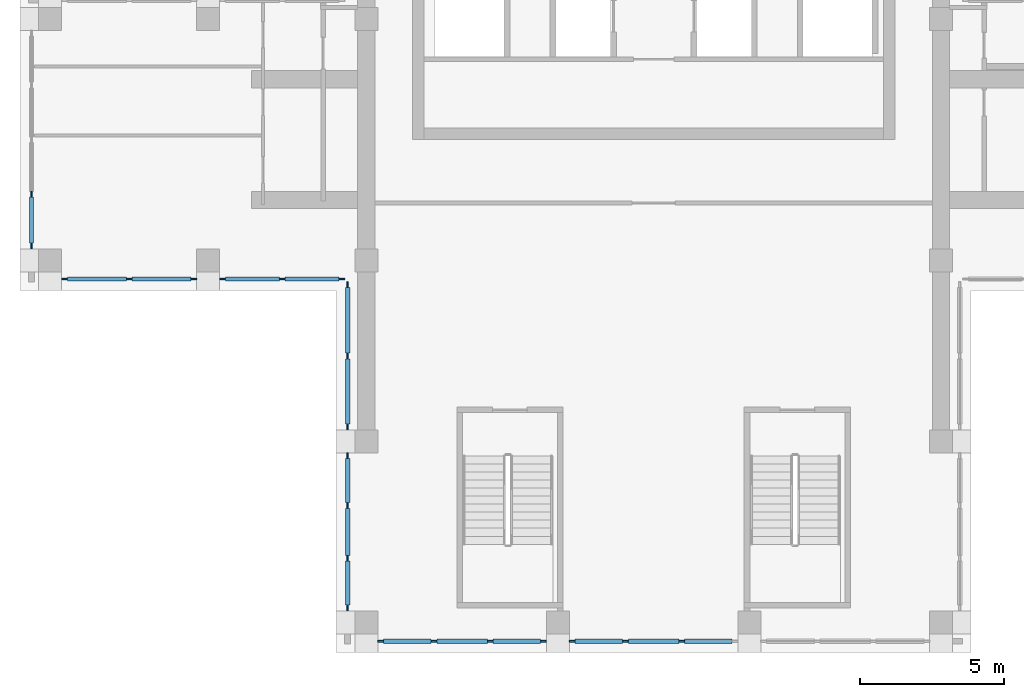
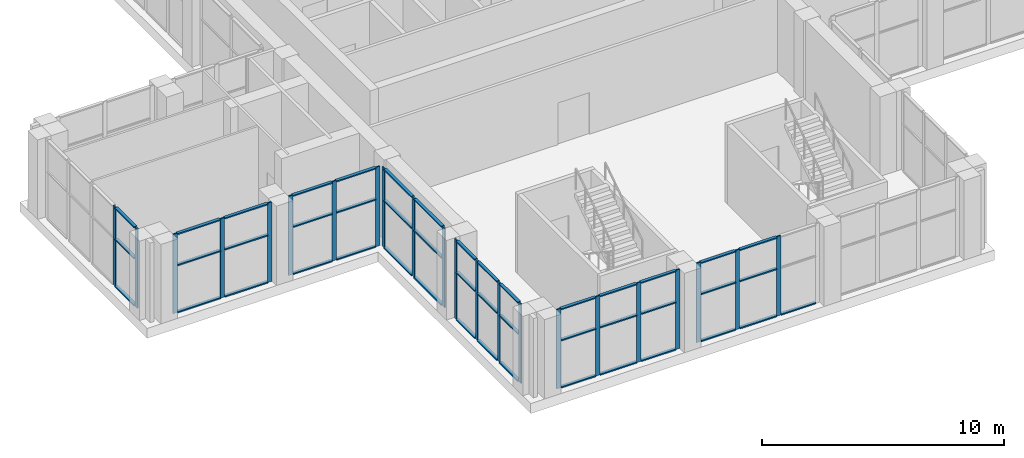
# One storey, part 2 of 15: 68 members, 7 elements without a shape of their own.
"""IFC4 building model written with IfcOpenShell, lengths in metres."""

from ifc_helpers import new_model, si_unit, direction, frame, origin, origin_2d, place, context, subcontext, project, spatial, rectangle, extrude, material, material_profile, profile_set, type_object, element, aggregate, save


model = new_model("IFC4")

# Units and contexts
model_context = context("Model", 3, precision=1e-05, world=origin(), true_north=direction((0.0, 1.0)))
body_context = subcontext(model_context, "Body", "Model", "MODEL_VIEW")
ifc_project = project(units=[si_unit("LENGTHUNIT", "METRE"), si_unit("AREAUNIT", "SQUARE_METRE"), si_unit("VOLUMEUNIT", "CUBIC_METRE"), si_unit("PLANEANGLEUNIT", "RADIAN"), si_unit("MASSUNIT", "GRAM", prefix="KILO")], contexts=[model_context])

# Site, building, storey
site_placement = place(None, origin())
site = spatial("IfcSite", under=ifc_project, at=site_placement, CompositionType="ELEMENT")
building_placement = place(site_placement, origin())
building = spatial("IfcBuilding", under=site, at=building_placement, Name="Vermilion Ogive Tower", CompositionType="ELEMENT")
storey_placement = place(building_placement, frame((0.0, 0.0, 293.85009765625)))
storey = spatial("IfcBuildingStorey", under=building, at=storey_placement, Name="L76", CompositionType="ELEMENT", Elevation=293.85009765625)

# Curtain wall, members
ifc_material_1 = material(Name="Low-iron laminated glazing in aluminium frame", Category="aluminium")
curtain_wall_type = type_object("IfcCurtainWallType", Name="Curtain wall CW3", PredefinedType="NOTDEFINED", material=ifc_material_1)
curtain_wall_1_placement = place(storey_placement, origin())
curtain_wall_1 = element("IfcCurtainWall", 1, at=curtain_wall_1_placement, inside=storey, type_object=curtain_wall_type, Name="CW3 glazing S1", PredefinedType="NOTDEFINED")
ifc_material_2 = material(Name="Aluminium mullion", Category="aluminium")
ifc_material_profile_1 = material_profile(ifc_material_2, rectangle(XDim=0.06005859375, YDim=0.199951171875, at=origin_2d()), Name="AL 60x200")
ifc_profile_set_1 = profile_set([ifc_material_profile_1], Name="Aluminium mullion")
member_type_1 = type_object("IfcMemberType", Name="CW3 mullion 60x200", PredefinedType="MULLION", material=ifc_profile_set_1)
member_1_placement = place(storey_placement, frame((-9.5, -13.25, 0.0), z_axis=(0.0, 0.0, 1.0), x_axis=(0.0, 1.0, 0.0)))
member_1 = element("IfcMember", 2, at=member_1_placement, type_object=member_type_1, Name="CW3-S1 mullion 1", PredefinedType="MULLION", context=body_context, shape_type="SweptSolid", body=[
    extrude(rectangle(XDim=0.06005859375, YDim=0.199951171875, at=origin_2d()), origin(), (0.0, 0.0, 1.0), 4.0),
])
member_2_placement = place(storey_placement, frame((-7.64453125, -13.25, 0.0), z_axis=(0.0, 0.0, 1.0), x_axis=(0.0, 1.0, 0.0)))
member_2 = element("IfcMember", 3, at=member_2_placement, type_object=member_type_1, Name="CW3-S1 mullion 2", PredefinedType="MULLION", context=body_context, shape_type="SweptSolid", body=[
    extrude(rectangle(XDim=0.06005859375, YDim=0.199951171875, at=origin_2d()), origin(), (0.0, 0.0, 1.0), 4.0),
])
member_3_placement = place(storey_placement, frame((-5.68896484375, -13.25, 0.0), z_axis=(0.0, 0.0, 1.0), x_axis=(0.0, 1.0, 0.0)))
member_3 = element("IfcMember", 4, at=member_3_placement, type_object=member_type_1, Name="CW3-S1 mullion 3", PredefinedType="MULLION", context=body_context, shape_type="SweptSolid", body=[
    extrude(rectangle(XDim=0.06005859375, YDim=0.199951171875, at=origin_2d()), origin(), (0.0, 0.0, 1.0), 4.0),
])
member_4_placement = place(storey_placement, frame((-3.833251953125, -13.25, 0.0), z_axis=(0.0, 0.0, 1.0), x_axis=(0.0, 1.0, 0.0)))
member_4 = element("IfcMember", 5, at=member_4_placement, type_object=member_type_1, Name="CW3-S1 mullion 4", PredefinedType="MULLION", context=body_context, shape_type="SweptSolid", body=[
    extrude(rectangle(XDim=0.06005859375, YDim=0.199951171875, at=origin_2d()), origin(), (0.0, 0.0, 1.0), 4.0),
])

curtain_wall_2_placement = place(storey_placement, origin())
curtain_wall_2 = element("IfcCurtainWall", 6, at=curtain_wall_2_placement, inside=storey, type_object=curtain_wall_type, Name="CW3 glazing S2", PredefinedType="NOTDEFINED")
member_5_placement = place(storey_placement, frame((-2.833251953125, -13.25, 0.0), z_axis=(0.0, 0.0, 1.0), x_axis=(0.0, 1.0, 0.0)))
member_5 = element("IfcMember", 7, at=member_5_placement, type_object=member_type_1, Name="CW3-S2 mullion 1", PredefinedType="MULLION", context=body_context, shape_type="SweptSolid", body=[
    extrude(rectangle(XDim=0.06005859375, YDim=0.199951171875, at=origin_2d()), origin(), (0.0, 0.0, 1.0), 4.0),
])
member_6_placement = place(storey_placement, frame((-0.977783203125, -13.25, 0.0), z_axis=(0.0, 0.0, 1.0), x_axis=(0.0, 1.0, 0.0)))
member_6 = element("IfcMember", 8, at=member_6_placement, type_object=member_type_1, Name="CW3-S2 mullion 2", PredefinedType="MULLION", context=body_context, shape_type="SweptSolid", body=[
    extrude(rectangle(XDim=0.06005859375, YDim=0.199951171875, at=origin_2d()), origin(), (0.0, 0.0, 1.0), 4.0),
])
member_7_placement = place(storey_placement, frame((0.977783203125, -13.25, 0.0), z_axis=(0.0, 0.0, 1.0), x_axis=(0.0, 1.0, 0.0)))
member_7 = element("IfcMember", 9, at=member_7_placement, type_object=member_type_1, Name="CW3-S2 mullion 3", PredefinedType="MULLION", context=body_context, shape_type="SweptSolid", body=[
    extrude(rectangle(XDim=0.06005859375, YDim=0.199951171875, at=origin_2d()), origin(), (0.0, 0.0, 1.0), 4.0),
])

curtain_wall_3_placement = place(storey_placement, origin())
curtain_wall_3 = element("IfcCurtainWall", 10, at=curtain_wall_3_placement, inside=storey, type_object=curtain_wall_type, Name="CW3 glazing W1", PredefinedType="NOTDEFINED")
member_8_placement = place(storey_placement, frame((-21.64990234375, 2.300048828125, 0.0), z_axis=(0.0, 0.0, 1.0), x_axis=(1.0, 0.0, 0.0)))
member_8 = element("IfcMember", 11, at=member_8_placement, type_object=member_type_1, Name="CW3-W1 mullion 4", PredefinedType="MULLION", context=body_context, shape_type="SweptSolid", body=[
    extrude(rectangle(XDim=0.06005859375, YDim=0.199951171875, at=origin_2d()), origin(), (0.0, 0.0, 1.0), 4.0),
])
member_9_placement = place(storey_placement, frame((-21.64990234375, 0.5, 0.0), z_axis=(0.0, 0.0, 1.0), x_axis=(1.0, 0.0, 0.0)))
member_9 = element("IfcMember", 12, at=member_9_placement, type_object=member_type_1, Name="CW3-W1 mullion 5", PredefinedType="MULLION", context=body_context, shape_type="SweptSolid", body=[
    extrude(rectangle(XDim=0.06005859375, YDim=0.199951171875, at=origin_2d()), origin(), (0.0, 0.0, 1.0), 4.0),
])

curtain_wall_4_placement = place(storey_placement, origin())
curtain_wall_4 = element("IfcCurtainWall", 13, at=curtain_wall_4_placement, inside=storey, type_object=curtain_wall_type, Name="CW3 glazing X71", PredefinedType="NOTDEFINED")
member_10_placement = place(storey_placement, frame((-20.5, -0.64990234375, 0.0), z_axis=(0.0, 0.0, 1.0), x_axis=(0.0, 1.0, 0.0)))
member_10 = element("IfcMember", 14, at=member_10_placement, type_object=member_type_1, Name="CW3-X71 mullion 1", PredefinedType="MULLION", context=body_context, shape_type="SweptSolid", body=[
    extrude(rectangle(XDim=0.06005859375, YDim=0.199951171875, at=origin_2d()), origin(), (0.0, 0.0, 1.0), 4.0),
])
member_11_placement = place(storey_placement, frame((-18.25, -0.64990234375, 0.0), z_axis=(0.0, 0.0, 1.0), x_axis=(0.0, 1.0, 0.0)))
member_11 = element("IfcMember", 15, at=member_11_placement, type_object=member_type_1, Name="CW3-X71 mullion 2", PredefinedType="MULLION", context=body_context, shape_type="SweptSolid", body=[
    extrude(rectangle(XDim=0.06005859375, YDim=0.199951171875, at=origin_2d()), origin(), (0.0, 0.0, 1.0), 4.0),
])
member_12_placement = place(storey_placement, frame((-16.0, -0.64990234375, 0.0), z_axis=(0.0, 0.0, 1.0), x_axis=(0.0, 1.0, 0.0)))
member_12 = element("IfcMember", 16, at=member_12_placement, type_object=member_type_1, Name="CW3-X71 mullion 3", PredefinedType="MULLION", context=body_context, shape_type="SweptSolid", body=[
    extrude(rectangle(XDim=0.06005859375, YDim=0.199951171875, at=origin_2d()), origin(), (0.0, 0.0, 1.0), 4.0),
])

curtain_wall_5_placement = place(storey_placement, origin())
curtain_wall_5 = element("IfcCurtainWall", 17, at=curtain_wall_5_placement, inside=storey, type_object=curtain_wall_type, Name="CW3 glazing X72", PredefinedType="NOTDEFINED")
member_13_placement = place(storey_placement, frame((-15.0, -0.64990234375, 0.0), z_axis=(0.0, 0.0, 1.0), x_axis=(0.0, 1.0, 0.0)))
member_13 = element("IfcMember", 18, at=member_13_placement, type_object=member_type_1, Name="CW3-X72 mullion 1", PredefinedType="MULLION", context=body_context, shape_type="SweptSolid", body=[
    extrude(rectangle(XDim=0.06005859375, YDim=0.199951171875, at=origin_2d()), origin(), (0.0, 0.0, 1.0), 4.0),
])
member_14_placement = place(storey_placement, frame((-12.925048828125, -0.64990234375, 0.0), z_axis=(0.0, 0.0, 1.0), x_axis=(0.0, 1.0, 0.0)))
member_14 = element("IfcMember", 19, at=member_14_placement, type_object=member_type_1, Name="CW3-X72 mullion 2", PredefinedType="MULLION", context=body_context, shape_type="SweptSolid", body=[
    extrude(rectangle(XDim=0.06005859375, YDim=0.199951171875, at=origin_2d()), origin(), (0.0, 0.0, 1.0), 4.0),
])
member_15_placement = place(storey_placement, frame((-10.85009765625, -0.64990234375, 0.0), z_axis=(0.0, 0.0, 1.0), x_axis=(0.0, 1.0, 0.0)))
member_15 = element("IfcMember", 20, at=member_15_placement, type_object=member_type_1, Name="CW3-X72 mullion 3", PredefinedType="MULLION", context=body_context, shape_type="SweptSolid", body=[
    extrude(rectangle(XDim=0.06005859375, YDim=0.199951171875, at=origin_2d()), origin(), (0.0, 0.0, 1.0), 4.0),
])

curtain_wall_6_placement = place(storey_placement, origin())
curtain_wall_6 = element("IfcCurtainWall", 21, at=curtain_wall_6_placement, inside=storey, type_object=curtain_wall_type, Name="CW3 glazing X81", PredefinedType="NOTDEFINED")
member_16_placement = place(storey_placement, frame((-10.64990234375, -0.85009765625, 0.0), z_axis=(0.0, 0.0, 1.0), x_axis=(1.0, 0.0, 0.0)))
member_16 = element("IfcMember", 22, at=member_16_placement, type_object=member_type_1, Name="CW3-X81 mullion 1", PredefinedType="MULLION", context=body_context, shape_type="SweptSolid", body=[
    extrude(rectangle(XDim=0.06005859375, YDim=0.199951171875, at=origin_2d()), origin(), (0.0, 0.0, 1.0), 4.0),
])
member_17_placement = place(storey_placement, frame((-10.64990234375, -3.324951171875, 0.0), z_axis=(0.0, 0.0, 1.0), x_axis=(1.0, 0.0, 0.0)))
member_17 = element("IfcMember", 23, at=member_17_placement, type_object=member_type_1, Name="CW3-X81 mullion 2", PredefinedType="MULLION", context=body_context, shape_type="SweptSolid", body=[
    extrude(rectangle(XDim=0.06005859375, YDim=0.199951171875, at=origin_2d()), origin(), (0.0, 0.0, 1.0), 4.0),
])
member_18_placement = place(storey_placement, frame((-10.64990234375, -5.800048828125, 0.0), z_axis=(0.0, 0.0, 1.0), x_axis=(1.0, 0.0, 0.0)))
member_18 = element("IfcMember", 24, at=member_18_placement, type_object=member_type_1, Name="CW3-X81 mullion 3", PredefinedType="MULLION", context=body_context, shape_type="SweptSolid", body=[
    extrude(rectangle(XDim=0.06005859375, YDim=0.199951171875, at=origin_2d()), origin(), (0.0, 0.0, 1.0), 4.0),
])

curtain_wall_7_placement = place(storey_placement, origin())
curtain_wall_7 = element("IfcCurtainWall", 25, at=curtain_wall_7_placement, inside=storey, type_object=curtain_wall_type, Name="CW3 glazing X82", PredefinedType="NOTDEFINED")
member_19_placement = place(storey_placement, frame((-10.64990234375, -6.800048828125, 0.0), z_axis=(0.0, 0.0, 1.0), x_axis=(1.0, 0.0, 0.0)))
member_19 = element("IfcMember", 26, at=member_19_placement, type_object=member_type_1, Name="CW3-X82 mullion 1", PredefinedType="MULLION", context=body_context, shape_type="SweptSolid", body=[
    extrude(rectangle(XDim=0.06005859375, YDim=0.199951171875, at=origin_2d()), origin(), (0.0, 0.0, 1.0), 4.0),
])
member_20_placement = place(storey_placement, frame((-10.64990234375, -8.533447265625, 0.0), z_axis=(0.0, 0.0, 1.0), x_axis=(1.0, 0.0, 0.0)))
member_20 = element("IfcMember", 27, at=member_20_placement, type_object=member_type_1, Name="CW3-X82 mullion 2", PredefinedType="MULLION", context=body_context, shape_type="SweptSolid", body=[
    extrude(rectangle(XDim=0.06005859375, YDim=0.199951171875, at=origin_2d()), origin(), (0.0, 0.0, 1.0), 4.0),
])
member_21_placement = place(storey_placement, frame((-10.64990234375, -10.36669921875, 0.0), z_axis=(0.0, 0.0, 1.0), x_axis=(1.0, 0.0, 0.0)))
member_21 = element("IfcMember", 28, at=member_21_placement, type_object=member_type_1, Name="CW3-X82 mullion 3", PredefinedType="MULLION", context=body_context, shape_type="SweptSolid", body=[
    extrude(rectangle(XDim=0.06005859375, YDim=0.199951171875, at=origin_2d()), origin(), (0.0, 0.0, 1.0), 4.0),
])
member_22_placement = place(storey_placement, frame((-10.64990234375, -12.10009765625, 0.0), z_axis=(0.0, 0.0, 1.0), x_axis=(1.0, 0.0, 0.0)))
member_22 = element("IfcMember", 29, at=member_22_placement, type_object=member_type_1, Name="CW3-X82 mullion 4", PredefinedType="MULLION", context=body_context, shape_type="SweptSolid", body=[
    extrude(rectangle(XDim=0.06005859375, YDim=0.199951171875, at=origin_2d()), origin(), (0.0, 0.0, 1.0), 4.0),
])

# Member
ifc_material_3 = material(Name="Aluminium transom", Category="aluminium")
ifc_material_profile_2 = material_profile(ifc_material_3, rectangle(XDim=0.14990234375, YDim=0.06005859375, at=origin_2d()), Name="AL 60x150")
ifc_profile_set_2 = profile_set([ifc_material_profile_2], Name="Aluminium transom")
member_type_2 = type_object("IfcMemberType", Name="CW3 transom 60x150", PredefinedType="USERDEFINED", material=ifc_profile_set_2)
member_23_placement = place(storey_placement, frame((-9.39990234375, -13.25, 0.02978515625), z_axis=(1.0, 0.0, 0.0), x_axis=(0.0, 1.0, 0.0)))
member_23 = element("IfcMember", 30, at=member_23_placement, type_object=member_type_2, Name="CW3-S1 transom 1.1", ObjectType="TRANSOM", PredefinedType="USERDEFINED", context=body_context, shape_type="SweptSolid", body=[
    extrude(rectangle(XDim=0.14990234375, YDim=0.06005859375, at=origin_2d()), origin(), (0.0, 0.0, 1.0), 1.655517578125),
])

member_24_placement = place(storey_placement, frame((-9.39990234375, -13.25, 2.39990234375), z_axis=(1.0, 0.0, 0.0), x_axis=(0.0, 1.0, 0.0)))
member_24 = element("IfcMember", 31, at=member_24_placement, type_object=member_type_2, Name="CW3-S1 transom 1.2", ObjectType="TRANSOM", PredefinedType="USERDEFINED", context=body_context, shape_type="SweptSolid", body=[
    extrude(rectangle(XDim=0.14990234375, YDim=0.06005859375, at=origin_2d()), origin(), (0.0, 0.0, 1.0), 1.655517578125),
])

member_25_placement = place(storey_placement, frame((-9.39990234375, -13.25, 3.969970703125), z_axis=(1.0, 0.0, 0.0), x_axis=(0.0, 1.0, 0.0)))
member_25 = element("IfcMember", 32, at=member_25_placement, type_object=member_type_2, Name="CW3-S1 transom 1.3", ObjectType="TRANSOM", PredefinedType="USERDEFINED", context=body_context, shape_type="SweptSolid", body=[
    extrude(rectangle(XDim=0.14990234375, YDim=0.06005859375, at=origin_2d()), origin(), (0.0, 0.0, 1.0), 1.655517578125),
])

member_26_placement = place(storey_placement, frame((-7.54443359375, -13.25, 0.02978515625), z_axis=(1.0, 0.0, 0.0), x_axis=(0.0, 1.0, 0.0)))
member_26 = element("IfcMember", 33, at=member_26_placement, type_object=member_type_2, Name="CW3-S1 transom 2.1", ObjectType="TRANSOM", PredefinedType="USERDEFINED", context=body_context, shape_type="SweptSolid", body=[
    extrude(rectangle(XDim=0.14990234375, YDim=0.06005859375, at=origin_2d()), origin(), (0.0, 0.0, 1.0), 1.755615234375),
])

member_27_placement = place(storey_placement, frame((-7.54443359375, -13.25, 2.39990234375), z_axis=(1.0, 0.0, 0.0), x_axis=(0.0, 1.0, 0.0)))
member_27 = element("IfcMember", 34, at=member_27_placement, type_object=member_type_2, Name="CW3-S1 transom 2.2", ObjectType="TRANSOM", PredefinedType="USERDEFINED", context=body_context, shape_type="SweptSolid", body=[
    extrude(rectangle(XDim=0.14990234375, YDim=0.06005859375, at=origin_2d()), origin(), (0.0, 0.0, 1.0), 1.755615234375),
])

member_28_placement = place(storey_placement, frame((-7.54443359375, -13.25, 3.969970703125), z_axis=(1.0, 0.0, 0.0), x_axis=(0.0, 1.0, 0.0)))
member_28 = element("IfcMember", 35, at=member_28_placement, type_object=member_type_2, Name="CW3-S1 transom 2.3", ObjectType="TRANSOM", PredefinedType="USERDEFINED", context=body_context, shape_type="SweptSolid", body=[
    extrude(rectangle(XDim=0.14990234375, YDim=0.06005859375, at=origin_2d()), origin(), (0.0, 0.0, 1.0), 1.755615234375),
])

member_29_placement = place(storey_placement, frame((-5.5888671875, -13.25, 0.02978515625), z_axis=(1.0, 0.0, 0.0), x_axis=(0.0, 1.0, 0.0)))
member_29 = element("IfcMember", 36, at=member_29_placement, type_object=member_type_2, Name="CW3-S1 transom 3.1", ObjectType="TRANSOM", PredefinedType="USERDEFINED", context=body_context, shape_type="SweptSolid", body=[
    extrude(rectangle(XDim=0.14990234375, YDim=0.06005859375, at=origin_2d()), origin(), (0.0, 0.0, 1.0), 1.655517578125),
])

member_30_placement = place(storey_placement, frame((-5.5888671875, -13.25, 2.39990234375), z_axis=(1.0, 0.0, 0.0), x_axis=(0.0, 1.0, 0.0)))
member_30 = element("IfcMember", 37, at=member_30_placement, type_object=member_type_2, Name="CW3-S1 transom 3.2", ObjectType="TRANSOM", PredefinedType="USERDEFINED", context=body_context, shape_type="SweptSolid", body=[
    extrude(rectangle(XDim=0.14990234375, YDim=0.06005859375, at=origin_2d()), origin(), (0.0, 0.0, 1.0), 1.655517578125),
])

member_31_placement = place(storey_placement, frame((-5.5888671875, -13.25, 3.969970703125), z_axis=(1.0, 0.0, 0.0), x_axis=(0.0, 1.0, 0.0)))
member_31 = element("IfcMember", 38, at=member_31_placement, type_object=member_type_2, Name="CW3-S1 transom 3.3", ObjectType="TRANSOM", PredefinedType="USERDEFINED", context=body_context, shape_type="SweptSolid", body=[
    extrude(rectangle(XDim=0.14990234375, YDim=0.06005859375, at=origin_2d()), origin(), (0.0, 0.0, 1.0), 1.655517578125),
])

aggregate(curtain_wall_1, [member_1, member_2, member_3, member_4, member_23, member_24, member_25, member_26, member_27, member_28, member_29, member_30, member_31])

member_32_placement = place(storey_placement, frame((-2.7333984375, -13.25, 0.02978515625), z_axis=(1.0, 0.0, 0.0), x_axis=(0.0, 1.0, 0.0)))
member_32 = element("IfcMember", 39, at=member_32_placement, type_object=member_type_2, Name="CW3-S2 transom 1.1", ObjectType="TRANSOM", PredefinedType="USERDEFINED", context=body_context, shape_type="SweptSolid", body=[
    extrude(rectangle(XDim=0.14990234375, YDim=0.06005859375, at=origin_2d()), origin(), (0.0, 0.0, 1.0), 1.655517578125),
])

member_33_placement = place(storey_placement, frame((-2.7333984375, -13.25, 2.39990234375), z_axis=(1.0, 0.0, 0.0), x_axis=(0.0, 1.0, 0.0)))
member_33 = element("IfcMember", 40, at=member_33_placement, type_object=member_type_2, Name="CW3-S2 transom 1.2", ObjectType="TRANSOM", PredefinedType="USERDEFINED", context=body_context, shape_type="SweptSolid", body=[
    extrude(rectangle(XDim=0.14990234375, YDim=0.06005859375, at=origin_2d()), origin(), (0.0, 0.0, 1.0), 1.655517578125),
])

member_34_placement = place(storey_placement, frame((-2.7333984375, -13.25, 3.969970703125), z_axis=(1.0, 0.0, 0.0), x_axis=(0.0, 1.0, 0.0)))
member_34 = element("IfcMember", 41, at=member_34_placement, type_object=member_type_2, Name="CW3-S2 transom 1.3", ObjectType="TRANSOM", PredefinedType="USERDEFINED", context=body_context, shape_type="SweptSolid", body=[
    extrude(rectangle(XDim=0.14990234375, YDim=0.06005859375, at=origin_2d()), origin(), (0.0, 0.0, 1.0), 1.655517578125),
])

member_35_placement = place(storey_placement, frame((-0.877685546875, -13.25, 0.02978515625), z_axis=(1.0, 0.0, 0.0), x_axis=(0.0, 1.0, 0.0)))
member_35 = element("IfcMember", 42, at=member_35_placement, type_object=member_type_2, Name="CW3-S2 transom 2.1", ObjectType="TRANSOM", PredefinedType="USERDEFINED", context=body_context, shape_type="SweptSolid", body=[
    extrude(rectangle(XDim=0.14990234375, YDim=0.06005859375, at=origin_2d()), origin(), (0.0, 0.0, 1.0), 1.75537109375),
])

member_36_placement = place(storey_placement, frame((-0.877685546875, -13.25, 2.39990234375), z_axis=(1.0, 0.0, 0.0), x_axis=(0.0, 1.0, 0.0)))
member_36 = element("IfcMember", 43, at=member_36_placement, type_object=member_type_2, Name="CW3-S2 transom 2.2", ObjectType="TRANSOM", PredefinedType="USERDEFINED", context=body_context, shape_type="SweptSolid", body=[
    extrude(rectangle(XDim=0.14990234375, YDim=0.06005859375, at=origin_2d()), origin(), (0.0, 0.0, 1.0), 1.75537109375),
])

member_37_placement = place(storey_placement, frame((-0.877685546875, -13.25, 3.969970703125), z_axis=(1.0, 0.0, 0.0), x_axis=(0.0, 1.0, 0.0)))
member_37 = element("IfcMember", 44, at=member_37_placement, type_object=member_type_2, Name="CW3-S2 transom 2.3", ObjectType="TRANSOM", PredefinedType="USERDEFINED", context=body_context, shape_type="SweptSolid", body=[
    extrude(rectangle(XDim=0.14990234375, YDim=0.06005859375, at=origin_2d()), origin(), (0.0, 0.0, 1.0), 1.75537109375),
])

member_38_placement = place(storey_placement, frame((1.077880859375, -13.25, 0.02978515625), z_axis=(1.0, 0.0, 0.0), x_axis=(0.0, 1.0, 0.0)))
member_38 = element("IfcMember", 45, at=member_38_placement, type_object=member_type_2, Name="CW3-S2 transom 3.1", ObjectType="TRANSOM", PredefinedType="USERDEFINED", context=body_context, shape_type="SweptSolid", body=[
    extrude(rectangle(XDim=0.14990234375, YDim=0.06005859375, at=origin_2d()), origin(), (0.0, 0.0, 1.0), 1.655517578125),
])

aggregate(curtain_wall_2, [member_5, member_6, member_7, member_32, member_33, member_34, member_35, member_36, member_37, member_38])

member_39_placement = place(storey_placement, frame((-21.64990234375, 2.199951171875, 0.02978515625), z_axis=(0.0, -1.0, 0.0), x_axis=(1.0, 0.0, 0.0)))
member_39 = element("IfcMember", 46, at=member_39_placement, type_object=member_type_2, Name="CW3-W1 transom 4.1", ObjectType="TRANSOM", PredefinedType="USERDEFINED", context=body_context, shape_type="SweptSolid", body=[
    extrude(rectangle(XDim=0.14990234375, YDim=0.06005859375, at=origin_2d()), origin(), (0.0, 0.0, 1.0), 1.599853515625),
])

member_40_placement = place(storey_placement, frame((-21.64990234375, 2.199951171875, 2.39990234375), z_axis=(0.0, -1.0, 0.0), x_axis=(1.0, 0.0, 0.0)))
member_40 = element("IfcMember", 47, at=member_40_placement, type_object=member_type_2, Name="CW3-W1 transom 4.2", ObjectType="TRANSOM", PredefinedType="USERDEFINED", context=body_context, shape_type="SweptSolid", body=[
    extrude(rectangle(XDim=0.14990234375, YDim=0.06005859375, at=origin_2d()), origin(), (0.0, 0.0, 1.0), 1.599853515625),
])

member_41_placement = place(storey_placement, frame((-21.64990234375, 2.199951171875, 3.969970703125), z_axis=(0.0, -1.0, 0.0), x_axis=(1.0, 0.0, 0.0)))
member_41 = element("IfcMember", 48, at=member_41_placement, type_object=member_type_2, Name="CW3-W1 transom 4.3", ObjectType="TRANSOM", PredefinedType="USERDEFINED", context=body_context, shape_type="SweptSolid", body=[
    extrude(rectangle(XDim=0.14990234375, YDim=0.06005859375, at=origin_2d()), origin(), (0.0, 0.0, 1.0), 1.599853515625),
])

aggregate(curtain_wall_3, [member_8, member_9, member_39, member_40, member_41])

member_42_placement = place(storey_placement, frame((-20.39990234375, -0.64990234375, 0.02978515625), z_axis=(1.0, 0.0, 0.0), x_axis=(0.0, 1.0, 0.0)))
member_42 = element("IfcMember", 49, at=member_42_placement, type_object=member_type_2, Name="CW3-X71 transom 1.1", ObjectType="TRANSOM", PredefinedType="USERDEFINED", context=body_context, shape_type="SweptSolid", body=[
    extrude(rectangle(XDim=0.14990234375, YDim=0.06005859375, at=origin_2d()), origin(), (0.0, 0.0, 1.0), 2.0498046875),
])

member_43_placement = place(storey_placement, frame((-20.39990234375, -0.64990234375, 2.39990234375), z_axis=(1.0, 0.0, 0.0), x_axis=(0.0, 1.0, 0.0)))
member_43 = element("IfcMember", 50, at=member_43_placement, type_object=member_type_2, Name="CW3-X71 transom 1.2", ObjectType="TRANSOM", PredefinedType="USERDEFINED", context=body_context, shape_type="SweptSolid", body=[
    extrude(rectangle(XDim=0.14990234375, YDim=0.06005859375, at=origin_2d()), origin(), (0.0, 0.0, 1.0), 2.0498046875),
])

member_44_placement = place(storey_placement, frame((-20.39990234375, -0.64990234375, 3.969970703125), z_axis=(1.0, 0.0, 0.0), x_axis=(0.0, 1.0, 0.0)))
member_44 = element("IfcMember", 51, at=member_44_placement, type_object=member_type_2, Name="CW3-X71 transom 1.3", ObjectType="TRANSOM", PredefinedType="USERDEFINED", context=body_context, shape_type="SweptSolid", body=[
    extrude(rectangle(XDim=0.14990234375, YDim=0.06005859375, at=origin_2d()), origin(), (0.0, 0.0, 1.0), 2.0498046875),
])

member_45_placement = place(storey_placement, frame((-18.14990234375, -0.64990234375, 0.02978515625), z_axis=(1.0, 0.0, 0.0), x_axis=(0.0, 1.0, 0.0)))
member_45 = element("IfcMember", 52, at=member_45_placement, type_object=member_type_2, Name="CW3-X71 transom 2.1", ObjectType="TRANSOM", PredefinedType="USERDEFINED", context=body_context, shape_type="SweptSolid", body=[
    extrude(rectangle(XDim=0.14990234375, YDim=0.06005859375, at=origin_2d()), origin(), (0.0, 0.0, 1.0), 2.0498046875),
])

member_46_placement = place(storey_placement, frame((-18.14990234375, -0.64990234375, 2.39990234375), z_axis=(1.0, 0.0, 0.0), x_axis=(0.0, 1.0, 0.0)))
member_46 = element("IfcMember", 53, at=member_46_placement, type_object=member_type_2, Name="CW3-X71 transom 2.2", ObjectType="TRANSOM", PredefinedType="USERDEFINED", context=body_context, shape_type="SweptSolid", body=[
    extrude(rectangle(XDim=0.14990234375, YDim=0.06005859375, at=origin_2d()), origin(), (0.0, 0.0, 1.0), 2.0498046875),
])

member_47_placement = place(storey_placement, frame((-18.14990234375, -0.64990234375, 3.969970703125), z_axis=(1.0, 0.0, 0.0), x_axis=(0.0, 1.0, 0.0)))
member_47 = element("IfcMember", 54, at=member_47_placement, type_object=member_type_2, Name="CW3-X71 transom 2.3", ObjectType="TRANSOM", PredefinedType="USERDEFINED", context=body_context, shape_type="SweptSolid", body=[
    extrude(rectangle(XDim=0.14990234375, YDim=0.06005859375, at=origin_2d()), origin(), (0.0, 0.0, 1.0), 2.0498046875),
])

aggregate(curtain_wall_4, [member_10, member_11, member_12, member_42, member_43, member_44, member_45, member_46, member_47])

member_48_placement = place(storey_placement, frame((-14.89990234375, -0.64990234375, 0.02978515625), z_axis=(1.0, 0.0, 0.0), x_axis=(0.0, 1.0, 0.0)))
member_48 = element("IfcMember", 55, at=member_48_placement, type_object=member_type_2, Name="CW3-X72 transom 1.1", ObjectType="TRANSOM", PredefinedType="USERDEFINED", context=body_context, shape_type="SweptSolid", body=[
    extrude(rectangle(XDim=0.14990234375, YDim=0.06005859375, at=origin_2d()), origin(), (0.0, 0.0, 1.0), 1.875),
])

member_49_placement = place(storey_placement, frame((-14.89990234375, -0.64990234375, 2.39990234375), z_axis=(1.0, 0.0, 0.0), x_axis=(0.0, 1.0, 0.0)))
member_49 = element("IfcMember", 56, at=member_49_placement, type_object=member_type_2, Name="CW3-X72 transom 1.2", ObjectType="TRANSOM", PredefinedType="USERDEFINED", context=body_context, shape_type="SweptSolid", body=[
    extrude(rectangle(XDim=0.14990234375, YDim=0.06005859375, at=origin_2d()), origin(), (0.0, 0.0, 1.0), 1.875),
])

member_50_placement = place(storey_placement, frame((-14.89990234375, -0.64990234375, 3.969970703125), z_axis=(1.0, 0.0, 0.0), x_axis=(0.0, 1.0, 0.0)))
member_50 = element("IfcMember", 57, at=member_50_placement, type_object=member_type_2, Name="CW3-X72 transom 1.3", ObjectType="TRANSOM", PredefinedType="USERDEFINED", context=body_context, shape_type="SweptSolid", body=[
    extrude(rectangle(XDim=0.14990234375, YDim=0.06005859375, at=origin_2d()), origin(), (0.0, 0.0, 1.0), 1.875),
])

member_51_placement = place(storey_placement, frame((-12.824951171875, -0.64990234375, 0.02978515625), z_axis=(1.0, 0.0, 0.0), x_axis=(0.0, 1.0, 0.0)))
member_51 = element("IfcMember", 58, at=member_51_placement, type_object=member_type_2, Name="CW3-X72 transom 2.1", ObjectType="TRANSOM", PredefinedType="USERDEFINED", context=body_context, shape_type="SweptSolid", body=[
    extrude(rectangle(XDim=0.14990234375, YDim=0.06005859375, at=origin_2d()), origin(), (0.0, 0.0, 1.0), 1.875),
])

member_52_placement = place(storey_placement, frame((-12.824951171875, -0.64990234375, 2.39990234375), z_axis=(1.0, 0.0, 0.0), x_axis=(0.0, 1.0, 0.0)))
member_52 = element("IfcMember", 59, at=member_52_placement, type_object=member_type_2, Name="CW3-X72 transom 2.2", ObjectType="TRANSOM", PredefinedType="USERDEFINED", context=body_context, shape_type="SweptSolid", body=[
    extrude(rectangle(XDim=0.14990234375, YDim=0.06005859375, at=origin_2d()), origin(), (0.0, 0.0, 1.0), 1.875),
])

member_53_placement = place(storey_placement, frame((-12.824951171875, -0.64990234375, 3.969970703125), z_axis=(1.0, 0.0, 0.0), x_axis=(0.0, 1.0, 0.0)))
member_53 = element("IfcMember", 60, at=member_53_placement, type_object=member_type_2, Name="CW3-X72 transom 2.3", ObjectType="TRANSOM", PredefinedType="USERDEFINED", context=body_context, shape_type="SweptSolid", body=[
    extrude(rectangle(XDim=0.14990234375, YDim=0.06005859375, at=origin_2d()), origin(), (0.0, 0.0, 1.0), 1.875),
])

aggregate(curtain_wall_5, [member_13, member_14, member_15, member_48, member_49, member_50, member_51, member_52, member_53])

member_54_placement = place(storey_placement, frame((-10.64990234375, -0.949951171875, 0.02978515625), z_axis=(0.0, -1.0, 0.0), x_axis=(1.0, 0.0, 0.0)))
member_54 = element("IfcMember", 61, at=member_54_placement, type_object=member_type_2, Name="CW3-X81 transom 1.1", ObjectType="TRANSOM", PredefinedType="USERDEFINED", context=body_context, shape_type="SweptSolid", body=[
    extrude(rectangle(XDim=0.14990234375, YDim=0.06005859375, at=origin_2d()), origin(), (0.0, 0.0, 1.0), 2.275146484375),
])

member_55_placement = place(storey_placement, frame((-10.64990234375, -0.949951171875, 2.39990234375), z_axis=(0.0, -1.0, 0.0), x_axis=(1.0, 0.0, 0.0)))
member_55 = element("IfcMember", 62, at=member_55_placement, type_object=member_type_2, Name="CW3-X81 transom 1.2", ObjectType="TRANSOM", PredefinedType="USERDEFINED", context=body_context, shape_type="SweptSolid", body=[
    extrude(rectangle(XDim=0.14990234375, YDim=0.06005859375, at=origin_2d()), origin(), (0.0, 0.0, 1.0), 2.275146484375),
])

member_56_placement = place(storey_placement, frame((-10.64990234375, -0.949951171875, 3.969970703125), z_axis=(0.0, -1.0, 0.0), x_axis=(1.0, 0.0, 0.0)))
member_56 = element("IfcMember", 63, at=member_56_placement, type_object=member_type_2, Name="CW3-X81 transom 1.3", ObjectType="TRANSOM", PredefinedType="USERDEFINED", context=body_context, shape_type="SweptSolid", body=[
    extrude(rectangle(XDim=0.14990234375, YDim=0.06005859375, at=origin_2d()), origin(), (0.0, 0.0, 1.0), 2.275146484375),
])

member_57_placement = place(storey_placement, frame((-10.64990234375, -3.425048828125, 0.02978515625), z_axis=(0.0, -1.0, 0.0), x_axis=(1.0, 0.0, 0.0)))
member_57 = element("IfcMember", 64, at=member_57_placement, type_object=member_type_2, Name="CW3-X81 transom 2.1", ObjectType="TRANSOM", PredefinedType="USERDEFINED", context=body_context, shape_type="SweptSolid", body=[
    extrude(rectangle(XDim=0.14990234375, YDim=0.06005859375, at=origin_2d()), origin(), (0.0, 0.0, 1.0), 2.27490234375),
])

member_58_placement = place(storey_placement, frame((-10.64990234375, -3.425048828125, 2.39990234375), z_axis=(0.0, -1.0, 0.0), x_axis=(1.0, 0.0, 0.0)))
member_58 = element("IfcMember", 65, at=member_58_placement, type_object=member_type_2, Name="CW3-X81 transom 2.2", ObjectType="TRANSOM", PredefinedType="USERDEFINED", context=body_context, shape_type="SweptSolid", body=[
    extrude(rectangle(XDim=0.14990234375, YDim=0.06005859375, at=origin_2d()), origin(), (0.0, 0.0, 1.0), 2.27490234375),
])

member_59_placement = place(storey_placement, frame((-10.64990234375, -3.425048828125, 3.969970703125), z_axis=(0.0, -1.0, 0.0), x_axis=(1.0, 0.0, 0.0)))
member_59 = element("IfcMember", 66, at=member_59_placement, type_object=member_type_2, Name="CW3-X81 transom 2.3", ObjectType="TRANSOM", PredefinedType="USERDEFINED", context=body_context, shape_type="SweptSolid", body=[
    extrude(rectangle(XDim=0.14990234375, YDim=0.06005859375, at=origin_2d()), origin(), (0.0, 0.0, 1.0), 2.27490234375),
])

aggregate(curtain_wall_6, [member_16, member_17, member_18, member_54, member_55, member_56, member_57, member_58, member_59])

member_60_placement = place(storey_placement, frame((-10.64990234375, -6.89990234375, 0.02978515625), z_axis=(0.0, -1.0, 0.0), x_axis=(1.0, 0.0, 0.0)))
member_60 = element("IfcMember", 67, at=member_60_placement, type_object=member_type_2, Name="CW3-X82 transom 1.1", ObjectType="TRANSOM", PredefinedType="USERDEFINED", context=body_context, shape_type="SweptSolid", body=[
    extrude(rectangle(XDim=0.14990234375, YDim=0.06005859375, at=origin_2d()), origin(), (0.0, 0.0, 1.0), 1.533447265625),
])

member_61_placement = place(storey_placement, frame((-10.64990234375, -6.89990234375, 2.39990234375), z_axis=(0.0, -1.0, 0.0), x_axis=(1.0, 0.0, 0.0)))
member_61 = element("IfcMember", 68, at=member_61_placement, type_object=member_type_2, Name="CW3-X82 transom 1.2", ObjectType="TRANSOM", PredefinedType="USERDEFINED", context=body_context, shape_type="SweptSolid", body=[
    extrude(rectangle(XDim=0.14990234375, YDim=0.06005859375, at=origin_2d()), origin(), (0.0, 0.0, 1.0), 1.533447265625),
])

member_62_placement = place(storey_placement, frame((-10.64990234375, -6.89990234375, 3.969970703125), z_axis=(0.0, -1.0, 0.0), x_axis=(1.0, 0.0, 0.0)))
member_62 = element("IfcMember", 69, at=member_62_placement, type_object=member_type_2, Name="CW3-X82 transom 1.3", ObjectType="TRANSOM", PredefinedType="USERDEFINED", context=body_context, shape_type="SweptSolid", body=[
    extrude(rectangle(XDim=0.14990234375, YDim=0.06005859375, at=origin_2d()), origin(), (0.0, 0.0, 1.0), 1.533447265625),
])

member_63_placement = place(storey_placement, frame((-10.64990234375, -8.63330078125, 0.02978515625), z_axis=(0.0, -1.0, 0.0), x_axis=(1.0, 0.0, 0.0)))
member_63 = element("IfcMember", 70, at=member_63_placement, type_object=member_type_2, Name="CW3-X82 transom 2.1", ObjectType="TRANSOM", PredefinedType="USERDEFINED", context=body_context, shape_type="SweptSolid", body=[
    extrude(rectangle(XDim=0.14990234375, YDim=0.06005859375, at=origin_2d()), origin(), (0.0, 0.0, 1.0), 1.63330078125),
])

member_64_placement = place(storey_placement, frame((-10.64990234375, -8.63330078125, 2.39990234375), z_axis=(0.0, -1.0, 0.0), x_axis=(1.0, 0.0, 0.0)))
member_64 = element("IfcMember", 71, at=member_64_placement, type_object=member_type_2, Name="CW3-X82 transom 2.2", ObjectType="TRANSOM", PredefinedType="USERDEFINED", context=body_context, shape_type="SweptSolid", body=[
    extrude(rectangle(XDim=0.14990234375, YDim=0.06005859375, at=origin_2d()), origin(), (0.0, 0.0, 1.0), 1.63330078125),
])

member_65_placement = place(storey_placement, frame((-10.64990234375, -8.63330078125, 3.969970703125), z_axis=(0.0, -1.0, 0.0), x_axis=(1.0, 0.0, 0.0)))
member_65 = element("IfcMember", 72, at=member_65_placement, type_object=member_type_2, Name="CW3-X82 transom 2.3", ObjectType="TRANSOM", PredefinedType="USERDEFINED", context=body_context, shape_type="SweptSolid", body=[
    extrude(rectangle(XDim=0.14990234375, YDim=0.06005859375, at=origin_2d()), origin(), (0.0, 0.0, 1.0), 1.63330078125),
])

member_66_placement = place(storey_placement, frame((-10.64990234375, -10.466552734375, 0.02978515625), z_axis=(0.0, -1.0, 0.0), x_axis=(1.0, 0.0, 0.0)))
member_66 = element("IfcMember", 73, at=member_66_placement, type_object=member_type_2, Name="CW3-X82 transom 3.1", ObjectType="TRANSOM", PredefinedType="USERDEFINED", context=body_context, shape_type="SweptSolid", body=[
    extrude(rectangle(XDim=0.14990234375, YDim=0.06005859375, at=origin_2d()), origin(), (0.0, 0.0, 1.0), 1.533447265625),
])

member_67_placement = place(storey_placement, frame((-10.64990234375, -10.466552734375, 2.39990234375), z_axis=(0.0, -1.0, 0.0), x_axis=(1.0, 0.0, 0.0)))
member_67 = element("IfcMember", 74, at=member_67_placement, type_object=member_type_2, Name="CW3-X82 transom 3.2", ObjectType="TRANSOM", PredefinedType="USERDEFINED", context=body_context, shape_type="SweptSolid", body=[
    extrude(rectangle(XDim=0.14990234375, YDim=0.06005859375, at=origin_2d()), origin(), (0.0, 0.0, 1.0), 1.533447265625),
])

member_68_placement = place(storey_placement, frame((-10.64990234375, -10.466552734375, 3.969970703125), z_axis=(0.0, -1.0, 0.0), x_axis=(1.0, 0.0, 0.0)))
member_68 = element("IfcMember", 75, at=member_68_placement, type_object=member_type_2, Name="CW3-X82 transom 3.3", ObjectType="TRANSOM", PredefinedType="USERDEFINED", context=body_context, shape_type="SweptSolid", body=[
    extrude(rectangle(XDim=0.14990234375, YDim=0.06005859375, at=origin_2d()), origin(), (0.0, 0.0, 1.0), 1.533447265625),
])

aggregate(curtain_wall_7, [member_19, member_20, member_21, member_22, member_60, member_61, member_62, member_63, member_64, member_65, member_66, member_67, member_68])

save(model, "model.ifc")
